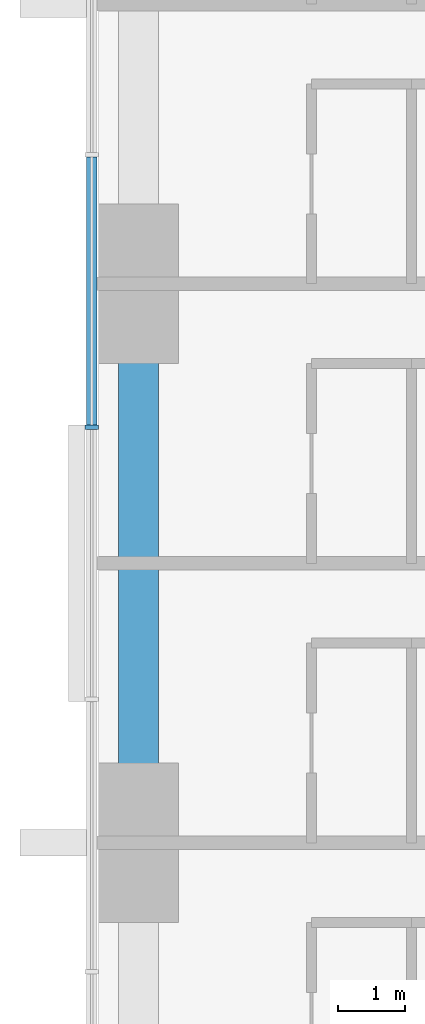
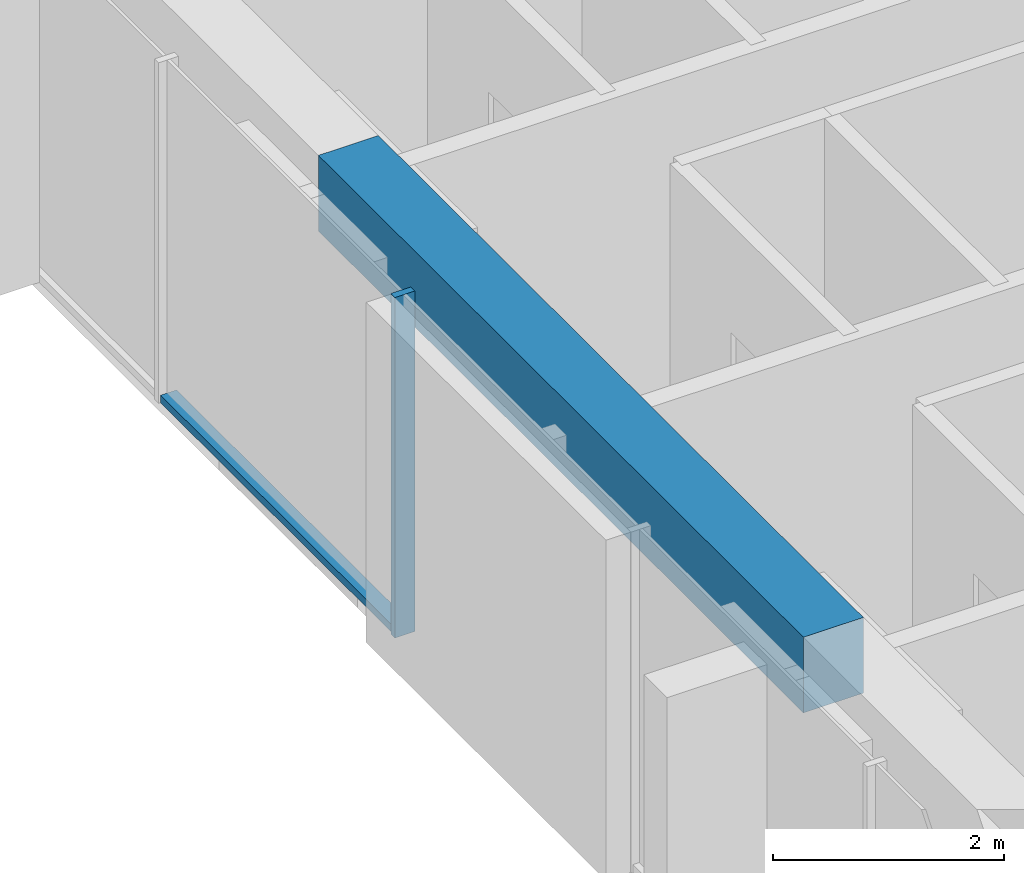
# One storey, part 3 of 13: 2 members, 1 beam, 1 element without a shape of its own.
"""IFC4 building model written with IfcOpenShell, lengths in metres."""

from ifc_helpers import new_model, si_unit, direction, frame, origin, origin_2d, place, context, subcontext, project, spatial, rectangle, extrude, material, material_profile, profile_set, type_object, element, aggregate, save


model = new_model("IFC4")

# Units and contexts
model_context = context("Model", 3, precision=1e-05, world=origin(), true_north=direction((0.0, 1.0)))
body_context = subcontext(model_context, "Body", "Model", "MODEL_VIEW")
ifc_project = project(units=[si_unit("LENGTHUNIT", "METRE"), si_unit("AREAUNIT", "SQUARE_METRE"), si_unit("VOLUMEUNIT", "CUBIC_METRE"), si_unit("PLANEANGLEUNIT", "RADIAN"), si_unit("MASSUNIT", "GRAM", prefix="KILO")], contexts=[model_context])

# Site, building, storey
site_placement = place(None, origin())
site = spatial("IfcSite", under=ifc_project, at=site_placement, CompositionType="ELEMENT")
building_placement = place(site_placement, origin())
building = spatial("IfcBuilding", under=site, at=building_placement, Name="Dunama Terrace Hotel", CompositionType="ELEMENT")
storey_placement = place(building_placement, frame((0.0, 0.0, 162.60009765625)))
storey = spatial("IfcBuildingStorey", under=building, at=storey_placement, Name="L41", CompositionType="ELEMENT", Elevation=162.60009765625)

# Curtain wall, members
ifc_material_1 = material(Name="Aluminium curtain wall system", Category="aluminium")
curtain_wall_type = type_object("IfcCurtainWallType", Name="Unitised fritted glass wall CW-C", PredefinedType="NOTDEFINED", material=ifc_material_1)
curtain_wall_placement = place(storey_placement, origin())
curtain_wall = element("IfcCurtainWall", 1, at=curtain_wall_placement, inside=storey, type_object=curtain_wall_type, Name="Unitised fritted glass wall CW-C L41", PredefinedType="NOTDEFINED")
ifc_material_2 = material(Name="Aluminium mullion", Category="aluminium")
ifc_material_profile_1 = material_profile(ifc_material_2, rectangle(XDim=0.070068359375, YDim=0.199951171875, at=origin_2d()), Name="CWC MULLION 70X200")
ifc_profile_set_1 = profile_set([ifc_material_profile_1], Name="Aluminium mullion")
member_type_1 = type_object("IfcMemberType", Name="CWC mullion 70x200", PredefinedType="MULLION", material=ifc_profile_set_1)
member_1_placement = place(storey_placement, frame((4.10009765625, 31.445068359375, 0.0), z_axis=(0.0, 0.0, 1.0), x_axis=(0.0, -1.0, 0.0)))
member_1 = element("IfcMember", 2, at=member_1_placement, type_object=member_type_1, Name="CWC mullion", PredefinedType="MULLION", context=body_context, shape_type="SweptSolid", body=[
    extrude(rectangle(XDim=0.070068359375, YDim=0.199951171875, at=origin_2d()), origin(), (0.0, 0.0, 1.0), 3.599853515625),
])
ifc_material_3 = material(Name="Aluminium transom", Category="aluminium")
ifc_material_profile_2 = material_profile(ifc_material_3, rectangle(XDim=0.159912109375, YDim=0.080078125, at=origin_2d()), Name="CWC TRANSOM 160X80")
ifc_profile_set_2 = profile_set([ifc_material_profile_2], Name="Aluminium transom")
member_type_2 = type_object("IfcMemberType", Name="CWC transom 160x80", PredefinedType="USERDEFINED", material=ifc_profile_set_2)
member_2_placement = place(storey_placement, frame((4.10009765625, 35.5009765625, 0.039794921875), z_axis=(0.0, -1.0, 0.0), x_axis=(1.0, 0.0, 0.0)))
member_2 = element("IfcMember", 3, at=member_2_placement, type_object=member_type_2, Name="CWC transom", ObjectType="TRANSOM", PredefinedType="USERDEFINED", context=body_context, shape_type="SweptSolid", body=[
    extrude(rectangle(XDim=0.159912109375, YDim=0.080078125, at=origin_2d()), origin(), (0.0, 0.0, 1.0), 4.02099609375),
])
aggregate(curtain_wall, [member_1, member_2])

# Beam
ifc_material_4 = material(Name="Concrete C40/50", Category="concrete")
ifc_material_profile_3 = material_profile(ifc_material_4, rectangle(XDim=0.60009765625, YDim=0.800048828125, at=origin_2d()), Name="RC 600x800")
ifc_profile_set_3 = profile_set([ifc_material_profile_3], Name="Concrete C40/50")
beam_type = type_object("IfcBeamType", Name="Edge beam RC 600x800", PredefinedType="SPANDREL", material=ifc_profile_set_3)
beam_placement = place(storey_placement, frame((4.800048828125, 25.199951171875, 3.199951171875), z_axis=(0.0, 1.0, 0.0), x_axis=(-1.0, 0.0, 0.0)))
element("IfcBeam", 4, at=beam_placement, inside=storey, type_object=beam_type, Name="Edge beam under L42", PredefinedType="SPANDREL", context=body_context, shape_type="SweptSolid", body=[
    extrude(rectangle(XDim=0.60009765625, YDim=0.800048828125, at=origin_2d()), origin(), (0.0, 0.0, 1.0), 8.400146484375),
])

save(model, "model.ifc")
